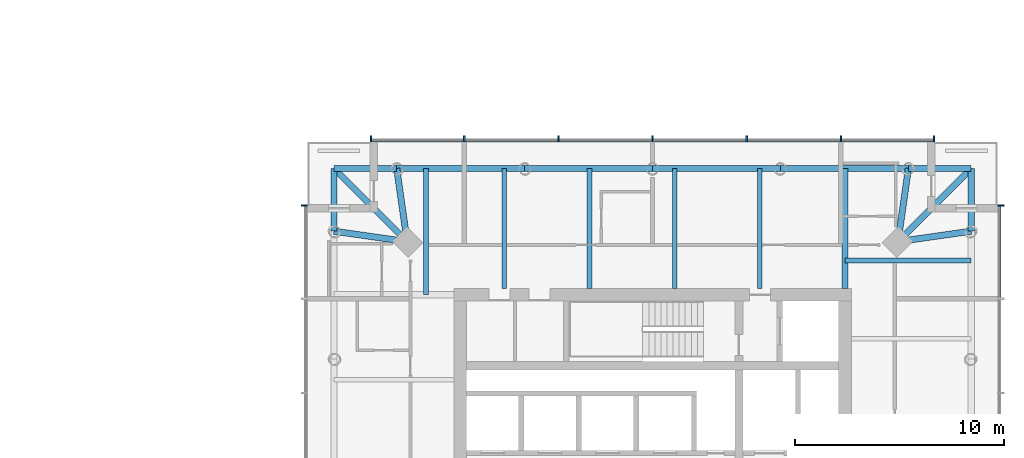
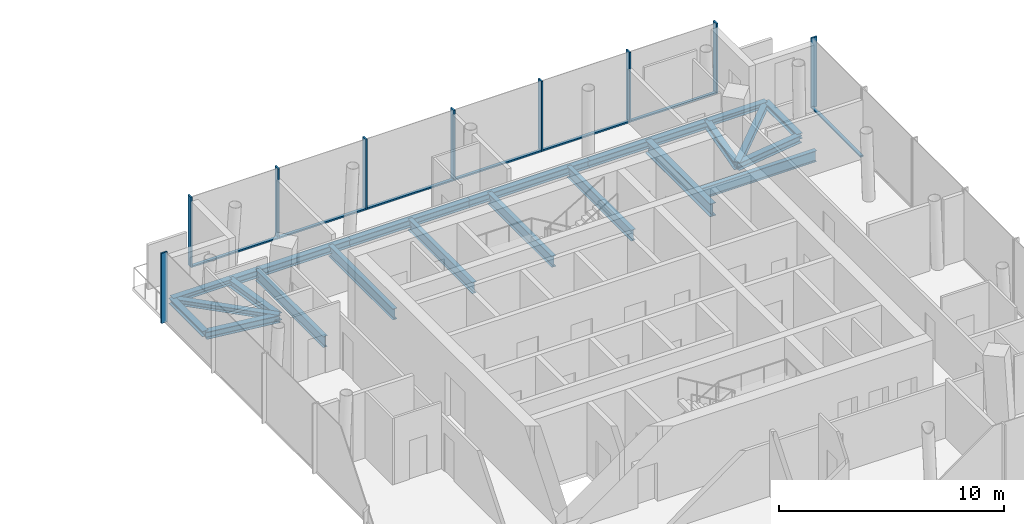
# One storey, part 6 of 20: 21 beams, 16 members, 3 elements without a shape of their own.
"""IFC4 building model written with IfcOpenShell, lengths in metres."""

import ifcopenshell
import ifcopenshell.guid

model = None  # the IFC model being written
_history = None  # IfcOwnerHistory: only IFC2X3 demands one
_inside = {}  # id of a spatial element -> (the spatial element, [elements in it])
_under = {}  # id of a project, library or spatial element -> (it, [spatial elements below it])
_declared = {}  # id of a project -> (the project, [libraries it declares])
_typed = {}  # id of a type object -> (the type object, [elements of that type])
_made_of = {}  # id of a material, layer set ... -> (it, [elements and type objects made of it])


def new_model(schema):
    """Start an empty IFC model of exactly this schema.

    Asked for "IFC4X3", IfcOpenShell would pick the latest addendum, in which some entities
    have other attributes; the version numbers below select the first issue.
    IFC2X3 requires an IfcOwnerHistory on every rooted entity: one is made here for all.
    """
    global model, _history
    if schema == "IFC4X3":
        model = ifcopenshell.file(schema_version=(4, 3, 0, 0))
    else:
        model = ifcopenshell.file(schema=schema)
    _inside.clear()
    _under.clear()
    _declared.clear()
    _typed.clear()
    _made_of.clear()
    _history = None
    if model.schema == "IFC2X3":
        org = make("IfcOrganization", Name="unknown")
        user = make(
            "IfcPersonAndOrganization",
            ThePerson=make("IfcPerson", FamilyName="unknown"),
            TheOrganization=org,
        )
        app = make(
            "IfcApplication",
            ApplicationDeveloper=org,
            Version="unknown",
            ApplicationFullName="unknown",
            ApplicationIdentifier="unknown",
        )
        _history = make(
            "IfcOwnerHistory",
            OwningUser=user,
            OwningApplication=app,
            ChangeAction="ADDED",
            CreationDate=0,
        )
    return model


def make(cls, **values):
    """One entity of the class cls with the attributes given. An attribute that is None is left unset."""
    return model.create_entity(
        cls, **{name: value for name, value in values.items() if value is not None}
    )


def rooted(cls, **values):
    """An entity with a GlobalId (a new one), such as an element, a storey or a relation."""
    return make(cls, GlobalId=ifcopenshell.guid.new(), OwnerHistory=_history, **values)


def si_unit(unit_type, name, prefix=None):
    """IfcSIUnit, for example si_unit("LENGTHUNIT", "METRE", prefix="MILLI")."""
    return make("IfcSIUnit", UnitType=unit_type, Prefix=prefix, Name=name)


def assignment(units):
    """IfcUnitAssignment: the units of a project."""
    return None if units is None else make("IfcUnitAssignment", Units=units)


def point(xyz):
    """IfcCartesianPoint."""
    return None if xyz is None else make("IfcCartesianPoint", Coordinates=xyz)


def direction(xyz):
    """IfcDirection."""
    return None if xyz is None else make("IfcDirection", DirectionRatios=xyz)


def frame(location, z_axis=None, x_axis=None):
    """IfcAxis2Placement3D, a coordinate frame: its origin and axes. An axis left out is left unset."""
    return make(
        "IfcAxis2Placement3D",
        Location=point(location),
        Axis=direction(z_axis),
        RefDirection=direction(x_axis),
    )


def frame_2d(location, x_axis=None):
    """IfcAxis2Placement2D, a coordinate frame in the plane: its origin and x axis."""
    return make(
        "IfcAxis2Placement2D", Location=point(location), RefDirection=direction(x_axis)
    )


def origin():
    """The frame at (0, 0, 0) with its axes left unset."""
    return frame((0.0, 0.0, 0.0))


def origin_2d():
    """The frame at (0, 0) in the plane with its x axis left unset."""
    return frame_2d((0.0, 0.0))


def place(relative_to, where):
    """IfcLocalPlacement: puts the frame where relative to a parent placement (None: the world)."""
    return make(
        "IfcLocalPlacement", PlacementRelTo=relative_to, RelativePlacement=where
    )


def context(
    kind, dimensions, precision=None, world=None, true_north=None, identifier=None
):
    """IfcGeometricRepresentationContext, for example the 3D "Model" context."""
    return make(
        "IfcGeometricRepresentationContext",
        ContextIdentifier=identifier,
        ContextType=kind,
        CoordinateSpaceDimension=dimensions,
        Precision=precision,
        WorldCoordinateSystem=world,
        TrueNorth=true_north,
    )


def subcontext(parent, identifier, kind, view, scale=None):
    """IfcGeometricRepresentationSubContext, for example "Body" below "Model"."""
    return make(
        "IfcGeometricRepresentationSubContext",
        ContextIdentifier=identifier,
        ContextType=kind,
        ParentContext=parent,
        TargetScale=scale,
        TargetView=view,
    )


def project(units=None, contexts=None):
    """IfcProject with its units and contexts."""
    return rooted(
        "IfcProject",
        Name="project",
        RepresentationContexts=contexts,
        UnitsInContext=assignment(units),
    )


def spatial(cls, under=None, at=None, **own):
    """A site, building, storey or space (cls), placed at a placement, below another one or the project."""
    s = rooted(cls, ObjectPlacement=at, **own)
    if under is not None:
        _under.setdefault(under.id(), (under, []))[1].append(s)
    return s


def profile(cls, at=None, kind="AREA", **sizes):
    """A parametric profile (cls). Its sizes go by their IFC names, for example OverallWidth=200.0."""
    return make(cls, ProfileType=kind, Position=at, **sizes)


def rectangle(**sizes):
    """IfcRectangleProfileDef."""
    return profile("IfcRectangleProfileDef", **sizes)


def i_section(**sizes):
    """IfcIShapeProfileDef."""
    return profile("IfcIShapeProfileDef", **sizes)


def extrude(swept, where, along, depth):
    """IfcExtrudedAreaSolid: the profile swept, set in the frame where, extruded along a direction by depth."""
    return make(
        "IfcExtrudedAreaSolid",
        SweptArea=swept,
        Position=where,
        ExtrudedDirection=direction(along),
        Depth=depth,
    )


def shape(context_of_items, identifier, shape_type, items):
    """IfcShapeRepresentation: the items that make up one representation, for example the "Body"."""
    return make(
        "IfcShapeRepresentation",
        ContextOfItems=context_of_items,
        RepresentationIdentifier=identifier,
        RepresentationType=shape_type,
        Items=items,
    )


def material(Name=None, Category=None):
    """IfcMaterial."""
    return make("IfcMaterial", Name=Name, Category=Category)


def material_profile(
    of_material, cross_section, Name=None, Category=None, Priority=None
):
    """IfcMaterialProfile: a cross section and its material."""
    return make(
        "IfcMaterialProfile",
        Name=Name,
        Material=of_material,
        Profile=cross_section,
        Priority=Priority,
        Category=Category,
    )


def profile_set(profiles, Name=None, composite=None):
    """IfcMaterialProfileSet."""
    return make(
        "IfcMaterialProfileSet",
        Name=Name,
        MaterialProfiles=profiles,
        CompositeProfile=composite,
    )


def made_of(thing, what):
    """Note that an element or type object is made of a material, layer set ...; save() writes the relation."""
    if what is not None:
        _made_of.setdefault(what.id(), (what, []))[1].append(thing)
    return thing


def type_object(cls, material=None, **own):
    """A type object (cls), such as IfcWallType, which elements share."""
    return made_of(rooted(cls, **own), material)


def element(
    cls,
    number,
    at=None,
    inside=None,
    cuts=None,
    type_object=None,
    material=None,
    context=None,
    identifier="Body",
    shape_type=None,
    held_by="IfcProductDefinitionShape",
    body=None,
    shapes=None,
    **own,
):
    """One element of the class cls, such as IfcWall. Its Tag is "e" and its number.

    at: its placement. inside: the storey or other place that contains it. cuts: it is an
    opening in that element (IfcRelVoidsElement). A single representation is given by context,
    identifier, shape_type and body (its items); several are given by shapes. held_by: the class
    of the entity that holds the representations. save() writes the other relations.
    """
    e = rooted(cls, Tag="e%d" % number, ObjectPlacement=at, **own)
    if body is not None:
        shapes = [shape(context, identifier, shape_type, body)]
    if shapes is not None:
        e.Representation = make(held_by, Representations=shapes)
    if inside is not None:
        _inside.setdefault(inside.id(), (inside, []))[1].append(e)
    if cuts is not None:
        rooted(
            "IfcRelVoidsElement", RelatingBuildingElement=cuts, RelatedOpeningElement=e
        )
    if type_object is not None:
        _typed.setdefault(type_object.id(), (type_object, []))[1].append(e)
    return made_of(e, material)


def aggregate(whole, parts):
    """IfcRelAggregates: a whole, such as a stair, and the parts it consists of."""
    return rooted("IfcRelAggregates", RelatingObject=whole, RelatedObjects=parts)


def save(model, path):
    """Write the relations noted so far, then the file.

    IfcRelAggregates (storeys below a building ...), IfcRelContainedInSpatialStructure (elements
    in a storey), IfcRelDefinesByType, IfcRelAssociatesMaterial and IfcRelDeclares: one each for
    every whole, place, type object, material and project.
    """
    for whole, parts in _under.values():
        aggregate(whole, parts)
    for where, things in _inside.values():
        rooted(
            "IfcRelContainedInSpatialStructure",
            RelatedElements=things,
            RelatingStructure=where,
        )
    for kind, things in _typed.values():
        rooted("IfcRelDefinesByType", RelatedObjects=things, RelatingType=kind)
    for what, things in _made_of.values():
        rooted("IfcRelAssociatesMaterial", RelatedObjects=things, RelatingMaterial=what)
    for by, libraries in _declared.values():
        rooted("IfcRelDeclares", RelatingContext=by, RelatedDefinitions=libraries)
    model.write(path)


model = new_model("IFC4")

# Units and contexts
model_context = context("Model", 3, precision=1e-05, world=origin(), true_north=direction((0.0, 1.0)))
body_context = subcontext(model_context, "Body", "Model", "MODEL_VIEW")
ifc_project = project(units=[si_unit("LENGTHUNIT", "METRE"), si_unit("AREAUNIT", "SQUARE_METRE"), si_unit("VOLUMEUNIT", "CUBIC_METRE"), si_unit("PLANEANGLEUNIT", "RADIAN"), si_unit("MASSUNIT", "GRAM", prefix="KILO")], contexts=[model_context])

# Site, building, storey
site_placement = place(None, origin())
site = spatial("IfcSite", under=ifc_project, at=site_placement, CompositionType="ELEMENT")
building_placement = place(site_placement, origin())
building = spatial("IfcBuilding", under=site, at=building_placement, Name="Ostroluk Exchange", CompositionType="ELEMENT")
storey_placement = place(building_placement, frame((0.0, 0.0, 108.39990234375)))
storey = spatial("IfcBuildingStorey", under=building, at=storey_placement, Name="L27", CompositionType="ELEMENT", Elevation=108.39990234375)

# Beams
ifc_material_1 = material(Name="Steel S355", Category="steel")
ifc_material_profile_1 = material_profile(ifc_material_1, i_section(OverallWidth=0.300048828125, OverallDepth=0.300048828125, WebThickness=0.010986328125, FlangeThickness=0.01904296875, FilletRadius=0.027099609375, at=origin_2d()), Name="HEB 300")
ifc_profile_set_1 = profile_set([ifc_material_profile_1], Name="Steel S355")
beam_type_1 = type_object("IfcBeamType", Name="Balcony beam HEB 300", PredefinedType="BEAM", material=ifc_profile_set_1)
for number, where, z_axis, x_axis, name in (
    (1, (132.232666015625, 58.232666015625, -0.349853515625), (0.0, 1.0, 0.0), (-1.0, 0.0, 0.0), "T2 east balcony beam a"),
    (2, (129.232666015625, 61.232666015625, -0.349853515625), (1.0, 0.0, 0.0), (0.0, 1.0, 0.0), "T2 east balcony beam b"),
):
    element("IfcBeam", number, at=place(storey_placement, frame(where, z_axis=z_axis, x_axis=x_axis)), inside=storey, type_object=beam_type_1, Name=name, PredefinedType="BEAM", context=body_context, shape_type="SweptSolid", body=[
        extrude(i_section(OverallWidth=0.300048828125, OverallDepth=0.300048828125, WebThickness=0.010986328125, FlangeThickness=0.01904296875, FilletRadius=0.027099609375, at=origin_2d()), origin(), (0.0, 0.0, 1.0), 3.0),
    ])
beam_1_placement = place(storey_placement, frame((128.732666015625, 57.732666015625, -0.349853515625), z_axis=(0.707106781187, 0.707106781187, 0.0), x_axis=(-0.707106781187, 0.707106781187, 0.0)))
element("IfcBeam", 3, at=beam_1_placement, inside=storey, type_object=beam_type_1, Name="T2 east balcony beam c", PredefinedType="BEAM", context=body_context, shape_type="SweptSolid", body=[
    extrude(i_section(OverallWidth=0.300048828125, OverallDepth=0.300048828125, WebThickness=0.010986328125, FlangeThickness=0.01904296875, FilletRadius=0.027099609375, at=origin_2d()), origin(), (0.0, 0.0, 1.0), 4.94970703125),
])
for number, where, z_axis, x_axis, name in (
    (4, (104.767333984375, 61.232666015625, -0.349853515625), (-1.0, 0.0, 0.0), (0.0, -1.0, 0.0), "T2 north balcony beam a"),
    (5, (101.767333984375, 58.232666015625, -0.349853515625), (0.0, 1.0, 0.0), (-1.0, 0.0, 0.0), "T2 north balcony beam b"),
):
    element("IfcBeam", number, at=place(storey_placement, frame(where, z_axis=z_axis, x_axis=x_axis)), inside=storey, type_object=beam_type_1, Name=name, PredefinedType="BEAM", context=body_context, shape_type="SweptSolid", body=[
        extrude(i_section(OverallWidth=0.300048828125, OverallDepth=0.300048828125, WebThickness=0.010986328125, FlangeThickness=0.01904296875, FilletRadius=0.027099609375, at=origin_2d()), origin(), (0.0, 0.0, 1.0), 3.0),
    ])
beam_2_placement = place(storey_placement, frame((105.267333984375, 57.732666015625, -0.349853515625), z_axis=(-0.707106781187, 0.707106781187, 0.0), x_axis=(-0.707106781187, -0.707106781187, 0.0)))
element("IfcBeam", 6, at=beam_2_placement, inside=storey, type_object=beam_type_1, Name="T2 north balcony beam c", PredefinedType="BEAM", context=body_context, shape_type="SweptSolid", body=[
    extrude(i_section(OverallWidth=0.300048828125, OverallDepth=0.300048828125, WebThickness=0.010986328125, FlangeThickness=0.01904296875, FilletRadius=0.027099609375, at=origin_2d()), origin(), (0.0, 0.0, 1.0), 4.94970703125),
])
ifc_material_2 = material(Name="Steel S355", Category="steel")
ifc_material_profile_2 = material_profile(ifc_material_2, i_section(OverallWidth=0.300048828125, OverallDepth=0.39990234375, WebThickness=0.013427734375, FlangeThickness=0.02392578125, FilletRadius=0.027099609375, at=origin_2d()), Name="HEB 400")
ifc_profile_set_2 = profile_set([ifc_material_profile_2], Name="Steel S355")
beam_type_2 = type_object("IfcBeamType", Name="Corner edge beam HEB 400", PredefinedType="SPANDREL", material=ifc_profile_set_2)
for number, where, z_axis, x_axis, name in (
    (7, (128.732666015625, 57.732666015625, -0.39990234375), (0.989949493661, 0.141421356237, 0.0), (-0.141421356237, 0.989949493661, 0.0), "T2 east corner edge beam a"),
    (8, (128.732666015625, 57.732666015625, -0.39990234375), (0.141421356237, 0.989949493661, 0.0), (-0.989949493661, 0.141421356237, 0.0), "T2 east corner edge beam b"),
    (9, (105.267333984375, 57.732666015625, -0.39990234375), (-0.141421356237, 0.989949493661, 0.0), (-0.989949493661, -0.141421356237, 0.0), "T2 north corner edge beam a"),
    (10, (105.267333984375, 57.732666015625, -0.39990234375), (-0.989949493661, 0.141421356237, 0.0), (-0.141421356237, -0.989949493661, 0.0), "T2 north corner edge beam b"),
):
    element("IfcBeam", number, at=place(storey_placement, frame(where, z_axis=z_axis, x_axis=x_axis)), inside=storey, type_object=beam_type_2, Name=name, PredefinedType="SPANDREL", context=body_context, shape_type="SweptSolid", body=[
        extrude(i_section(OverallWidth=0.300048828125, OverallDepth=0.39990234375, WebThickness=0.013427734375, FlangeThickness=0.02392578125, FilletRadius=0.027099609375, at=origin_2d()), origin(), (0.0, 0.0, 1.0), 3.53564453125),
    ])
ifc_material_3 = material(Name="Steel S355", Category="steel")
ifc_material_profile_3 = material_profile(ifc_material_3, i_section(OverallWidth=0.219970703125, OverallDepth=0.60009765625, WebThickness=0.011962890625, FlangeThickness=0.01904296875, FilletRadius=0.02392578125, at=origin_2d()), Name="IPE 600")
ifc_profile_set_3 = profile_set([ifc_material_profile_3], Name="Steel S355")
beam_type_3 = type_object("IfcBeamType", Name="Floor beam IPE 600", PredefinedType="BEAM", material=ifc_profile_set_3)
beam_3_placement = place(storey_placement, frame((126.199951171875, 56.832763671875, -0.5), z_axis=(1.0, 0.0, 0.0), x_axis=(0.0, 1.0, 0.0)))
element("IfcBeam", 11, at=beam_3_placement, inside=storey, type_object=beam_type_3, Name="T2 east floor beam 5", PredefinedType="BEAM", context=body_context, shape_type="SweptSolid", body=[
    extrude(i_section(OverallWidth=0.219970703125, OverallDepth=0.60009765625, WebThickness=0.011962890625, FlangeThickness=0.01904296875, FilletRadius=0.02392578125, at=origin_2d()), origin(), (0.0, 0.0, 1.0), 6.03271484375),
])
for number, where, z_axis, x_axis, name in (
    (12, (122.1279296875, 55.5, -0.5), (0.0, 1.0, 0.0), (-1.0, 0.0, 0.0), "T2 north floor beam 1"),
    (13, (118.0556640625, 55.5, -0.5), (0.0, 1.0, 0.0), (-1.0, 0.0, 0.0), "T2 north floor beam 2"),
    (14, (113.983642578125, 55.5, -0.5), (0.0, 1.0, 0.0), (-1.0, 0.0, 0.0), "T2 north floor beam 3"),
    (15, (109.911376953125, 55.5, -0.5), (0.0, 1.0, 0.0), (-1.0, 0.0, 0.0), "T2 north floor beam 4"),
):
    element("IfcBeam", number, at=place(storey_placement, frame(where, z_axis=z_axis, x_axis=x_axis)), inside=storey, type_object=beam_type_3, Name=name, PredefinedType="BEAM", context=body_context, shape_type="SweptSolid", body=[
        extrude(i_section(OverallWidth=0.219970703125, OverallDepth=0.60009765625, WebThickness=0.011962890625, FlangeThickness=0.01904296875, FilletRadius=0.02392578125, at=origin_2d()), origin(), (0.0, 0.0, 1.0), 5.732666015625),
    ])
beam_4_placement = place(storey_placement, frame((106.167236328125, 55.199951171875, -0.5), z_axis=(0.0, 1.0, 0.0), x_axis=(-1.0, 0.0, 0.0)))
element("IfcBeam", 16, at=beam_4_placement, inside=storey, type_object=beam_type_3, Name="T2 north floor beam 5", PredefinedType="BEAM", context=body_context, shape_type="SweptSolid", body=[
    extrude(i_section(OverallWidth=0.219970703125, OverallDepth=0.60009765625, WebThickness=0.011962890625, FlangeThickness=0.01904296875, FilletRadius=0.02392578125, at=origin_2d()), origin(), (0.0, 0.0, 1.0), 6.03271484375),
])
ifc_material_4 = material(Name="Steel S355", Category="steel")
ifc_material_profile_4 = material_profile(ifc_material_4, i_section(OverallWidth=0.300048828125, OverallDepth=0.699951171875, WebThickness=0.01708984375, FlangeThickness=0.031982421875, FilletRadius=0.027099609375, at=origin_2d()), Name="HEB 700")
ifc_profile_set_4 = profile_set([ifc_material_profile_4], Name="Steel S355")
beam_type_4 = type_object("IfcBeamType", Name="Girder HEB 700", PredefinedType="BEAM", material=ifc_profile_set_4)
beam_5_placement = place(storey_placement, frame((126.199951171875, 55.5, -0.5498046875), z_axis=(0.0, 1.0, 0.0), x_axis=(-1.0, 0.0, 0.0)))
element("IfcBeam", 17, at=beam_5_placement, inside=storey, type_object=beam_type_4, Name="T2 east girder", PredefinedType="BEAM", context=body_context, shape_type="SweptSolid", body=[
    extrude(i_section(OverallWidth=0.300048828125, OverallDepth=0.699951171875, WebThickness=0.01708984375, FlangeThickness=0.031982421875, FilletRadius=0.027099609375, at=origin_2d()), origin(), (0.0, 0.0, 1.0), 5.732666015625),
])
ifc_material_5 = material(Name="Steel S355", Category="steel")
ifc_material_profile_5 = material_profile(ifc_material_5, i_section(OverallWidth=0.300048828125, OverallDepth=0.39990234375, WebThickness=0.013427734375, FlangeThickness=0.02392578125, FilletRadius=0.027099609375, at=origin_2d()), Name="HEB 400")
ifc_profile_set_5 = profile_set([ifc_material_profile_5], Name="Steel S355")
beam_type_5 = type_object("IfcBeamType", Name="Moment-connected edge beam HEB 400", PredefinedType="SPANDREL", material=ifc_profile_set_5)
beam_6_placement = place(storey_placement, frame((129.232666015625, 61.232666015625, -0.39990234375), z_axis=(-1.0, 0.0, 0.0), x_axis=(0.0, -1.0, 0.0)))
element("IfcBeam", 18, at=beam_6_placement, inside=storey, type_object=beam_type_5, Name="T2 north edge beam 1", PredefinedType="SPANDREL", context=body_context, shape_type="SweptSolid", body=[
    extrude(i_section(OverallWidth=0.300048828125, OverallDepth=0.39990234375, WebThickness=0.013427734375, FlangeThickness=0.02392578125, FilletRadius=0.027099609375, at=origin_2d()), origin(), (0.0, 0.0, 1.0), 6.1162109375),
])
for number, where, z_axis, x_axis, name in (
    (19, (123.116455078125, 61.232666015625, -0.39990234375), (-1.0, 0.0, 0.0), (0.0, -1.0, 0.0), "T2 north edge beam 2"),
    (20, (117.0, 61.232666015625, -0.39990234375), (-1.0, 0.0, 0.0), (0.0, -1.0, 0.0), "T2 north edge beam 3"),
):
    element("IfcBeam", number, at=place(storey_placement, frame(where, z_axis=z_axis, x_axis=x_axis)), inside=storey, type_object=beam_type_5, Name=name, PredefinedType="SPANDREL", context=body_context, shape_type="SweptSolid", body=[
        extrude(i_section(OverallWidth=0.300048828125, OverallDepth=0.39990234375, WebThickness=0.013427734375, FlangeThickness=0.02392578125, FilletRadius=0.027099609375, at=origin_2d()), origin(), (0.0, 0.0, 1.0), 6.116455078125),
    ])
beam_7_placement = place(storey_placement, frame((110.883544921875, 61.232666015625, -0.39990234375), z_axis=(-1.0, 0.0, 0.0), x_axis=(0.0, -1.0, 0.0)))
element("IfcBeam", 21, at=beam_7_placement, inside=storey, type_object=beam_type_5, Name="T2 north edge beam 4", PredefinedType="SPANDREL", context=body_context, shape_type="SweptSolid", body=[
    extrude(i_section(OverallWidth=0.300048828125, OverallDepth=0.39990234375, WebThickness=0.013427734375, FlangeThickness=0.02392578125, FilletRadius=0.027099609375, at=origin_2d()), origin(), (0.0, 0.0, 1.0), 6.1162109375),
])

# Curtain wall, member
ifc_material_6 = material(Name="Laminated clear glass", Category="glass")
curtain_wall_type = type_object("IfcCurtainWallType", Name="Hotel guest floor facade", PredefinedType="USERDEFINED", material=ifc_material_6)
curtain_wall_1_placement = place(storey_placement, origin())
curtain_wall_1 = element("IfcCurtainWall", 22, at=curtain_wall_1_placement, inside=storey, type_object=curtain_wall_type, Name="Hotel tower east facade L27", ObjectType="UNITISED CURTAIN WALL", PredefinedType="USERDEFINED")
ifc_material_7 = material(Name="Aluminium mullion", Category="aluminium")
ifc_material_profile_6 = material_profile(ifc_material_7, rectangle(XDim=0.14990234375, YDim=0.080078125, at=origin_2d()), Name="Sill transom 80 x 150")
ifc_profile_set_6 = profile_set([ifc_material_profile_6], Name="Aluminium mullion")
member_type_1 = type_object("IfcMemberType", Name="Sill transom 80 x 150", PredefinedType="USERDEFINED", material=ifc_profile_set_6)
member_1_placement = place(storey_placement, frame((133.574951171875, 55.0400390625, 0.0400390625), z_axis=(0.0, 1.0, 0.0), x_axis=(-1.0, 0.0, 0.0)))
member_1 = element("IfcMember", 23, at=member_1_placement, type_object=member_type_1, Name="CW-H1 transom 6.1", ObjectType="TRANSOM", PredefinedType="USERDEFINED", context=body_context, shape_type="SweptSolid", body=[
    extrude(rectangle(XDim=0.14990234375, YDim=0.080078125, at=origin_2d()), origin(), (0.0, 0.0, 1.0), 4.3798828125),
])

# Curtain wall, members
curtain_wall_2_placement = place(storey_placement, origin())
curtain_wall_2 = element("IfcCurtainWall", 24, at=curtain_wall_2_placement, inside=storey, type_object=curtain_wall_type, Name="Hotel tower north facade L27", ObjectType="UNITISED CURTAIN WALL", PredefinedType="USERDEFINED")
member_2_placement = place(storey_placement, frame((130.419921875, 62.574951171875, 0.0400390625), z_axis=(-1.0, 0.0, 0.0), x_axis=(0.0, -1.0, 0.0)))
member_2 = element("IfcMember", 25, at=member_2_placement, type_object=member_type_1, Name="CW-H1 transom 1.1", ObjectType="TRANSOM", PredefinedType="USERDEFINED", context=body_context, shape_type="SweptSolid", body=[
    extrude(rectangle(XDim=0.14990234375, YDim=0.080078125, at=origin_2d()), origin(), (0.0, 0.0, 1.0), 4.3798828125),
])
member_3_placement = place(storey_placement, frame((125.9599609375, 62.574951171875, 0.0400390625), z_axis=(-1.0, 0.0, 0.0), x_axis=(0.0, -1.0, 0.0)))
member_3 = element("IfcMember", 26, at=member_3_placement, type_object=member_type_1, Name="CW-H1 transom 2.1", ObjectType="TRANSOM", PredefinedType="USERDEFINED", context=body_context, shape_type="SweptSolid", body=[
    extrude(rectangle(XDim=0.14990234375, YDim=0.080078125, at=origin_2d()), origin(), (0.0, 0.0, 1.0), 4.419921875),
])
member_4_placement = place(storey_placement, frame((121.4599609375, 62.574951171875, 0.0400390625), z_axis=(-1.0, 0.0, 0.0), x_axis=(0.0, -1.0, 0.0)))
member_4 = element("IfcMember", 27, at=member_4_placement, type_object=member_type_1, Name="CW-H1 transom 3.1", ObjectType="TRANSOM", PredefinedType="USERDEFINED", context=body_context, shape_type="SweptSolid", body=[
    extrude(rectangle(XDim=0.14990234375, YDim=0.080078125, at=origin_2d()), origin(), (0.0, 0.0, 1.0), 4.419921875),
])
member_5_placement = place(storey_placement, frame((116.9599609375, 62.574951171875, 0.0400390625), z_axis=(-1.0, 0.0, 0.0), x_axis=(0.0, -1.0, 0.0)))
member_5 = element("IfcMember", 28, at=member_5_placement, type_object=member_type_1, Name="CW-H1 transom 4.1", ObjectType="TRANSOM", PredefinedType="USERDEFINED", context=body_context, shape_type="SweptSolid", body=[
    extrude(rectangle(XDim=0.14990234375, YDim=0.080078125, at=origin_2d()), origin(), (0.0, 0.0, 1.0), 4.419921875),
])
member_6_placement = place(storey_placement, frame((112.4599609375, 62.574951171875, 0.0400390625), z_axis=(-1.0, 0.0, 0.0), x_axis=(0.0, -1.0, 0.0)))
member_6 = element("IfcMember", 29, at=member_6_placement, type_object=member_type_1, Name="CW-H1 transom 5.1", ObjectType="TRANSOM", PredefinedType="USERDEFINED", context=body_context, shape_type="SweptSolid", body=[
    extrude(rectangle(XDim=0.14990234375, YDim=0.080078125, at=origin_2d()), origin(), (0.0, 0.0, 1.0), 4.419921875),
])
member_7_placement = place(storey_placement, frame((107.9599609375, 62.574951171875, 0.0400390625), z_axis=(-1.0, 0.0, 0.0), x_axis=(0.0, -1.0, 0.0)))
member_7 = element("IfcMember", 30, at=member_7_placement, type_object=member_type_1, Name="CW-H1 transom 6.1", ObjectType="TRANSOM", PredefinedType="USERDEFINED", context=body_context, shape_type="SweptSolid", body=[
    extrude(rectangle(XDim=0.14990234375, YDim=0.080078125, at=origin_2d()), origin(), (0.0, 0.0, 1.0), 4.3798828125),
])

# Member
ifc_material_8 = material(Name="Aluminium mullion with limestone facing", Category="masonry")
ifc_material_profile_7 = material_profile(ifc_material_8, rectangle(XDim=0.300048828125, YDim=0.080078125, at=origin_2d()), Name="Tracery mullion 80 x 300")
ifc_profile_set_7 = profile_set([ifc_material_profile_7], Name="Aluminium mullion with limestone facing")
member_type_2 = type_object("IfcMemberType", Name="Tracery mullion 80 x 300", PredefinedType="MULLION", material=ifc_profile_set_7)
member_8_placement = place(storey_placement, frame((133.64990234375, 59.4599609375, 0.0), z_axis=(0.0, 0.0, 1.0), x_axis=(-1.0, 0.0, 0.0)))
member_8 = element("IfcMember", 31, at=member_8_placement, type_object=member_type_2, Name="CW-H1 mullion 7", PredefinedType="MULLION", context=body_context, shape_type="SweptSolid", body=[
    extrude(rectangle(XDim=0.300048828125, YDim=0.080078125, at=origin_2d()), origin(), (0.0, 0.0, 1.0), 3.800048828125),
])

aggregate(curtain_wall_1, [member_8, member_1])

member_9_placement = place(storey_placement, frame((130.4599609375, 62.64990234375, 0.0), z_axis=(0.0, 0.0, 1.0), x_axis=(0.0, -1.0, 0.0)))
member_9 = element("IfcMember", 32, at=member_9_placement, type_object=member_type_2, Name="CW-H1 mullion 1", PredefinedType="MULLION", context=body_context, shape_type="SweptSolid", body=[
    extrude(rectangle(XDim=0.300048828125, YDim=0.080078125, at=origin_2d()), origin(), (0.0, 0.0, 1.0), 3.800048828125),
])

member_10_placement = place(storey_placement, frame((126.0, 62.64990234375, 0.0), z_axis=(0.0, 0.0, 1.0), x_axis=(0.0, -1.0, 0.0)))
member_10 = element("IfcMember", 33, at=member_10_placement, type_object=member_type_2, Name="CW-H1 mullion 2", PredefinedType="MULLION", context=body_context, shape_type="SweptSolid", body=[
    extrude(rectangle(XDim=0.300048828125, YDim=0.080078125, at=origin_2d()), origin(), (0.0, 0.0, 1.0), 3.800048828125),
])

member_11_placement = place(storey_placement, frame((121.5, 62.64990234375, 0.0), z_axis=(0.0, 0.0, 1.0), x_axis=(0.0, -1.0, 0.0)))
member_11 = element("IfcMember", 34, at=member_11_placement, type_object=member_type_2, Name="CW-H1 mullion 3", PredefinedType="MULLION", context=body_context, shape_type="SweptSolid", body=[
    extrude(rectangle(XDim=0.300048828125, YDim=0.080078125, at=origin_2d()), origin(), (0.0, 0.0, 1.0), 3.800048828125),
])

member_12_placement = place(storey_placement, frame((117.0, 62.64990234375, 0.0), z_axis=(0.0, 0.0, 1.0), x_axis=(0.0, -1.0, 0.0)))
member_12 = element("IfcMember", 35, at=member_12_placement, type_object=member_type_2, Name="CW-H1 mullion 4", PredefinedType="MULLION", context=body_context, shape_type="SweptSolid", body=[
    extrude(rectangle(XDim=0.300048828125, YDim=0.080078125, at=origin_2d()), origin(), (0.0, 0.0, 1.0), 3.800048828125),
])

member_13_placement = place(storey_placement, frame((112.5, 62.64990234375, 0.0), z_axis=(0.0, 0.0, 1.0), x_axis=(0.0, -1.0, 0.0)))
member_13 = element("IfcMember", 36, at=member_13_placement, type_object=member_type_2, Name="CW-H1 mullion 5", PredefinedType="MULLION", context=body_context, shape_type="SweptSolid", body=[
    extrude(rectangle(XDim=0.300048828125, YDim=0.080078125, at=origin_2d()), origin(), (0.0, 0.0, 1.0), 3.800048828125),
])

member_14_placement = place(storey_placement, frame((108.0, 62.64990234375, 0.0), z_axis=(0.0, 0.0, 1.0), x_axis=(0.0, -1.0, 0.0)))
member_14 = element("IfcMember", 37, at=member_14_placement, type_object=member_type_2, Name="CW-H1 mullion 6", PredefinedType="MULLION", context=body_context, shape_type="SweptSolid", body=[
    extrude(rectangle(XDim=0.300048828125, YDim=0.080078125, at=origin_2d()), origin(), (0.0, 0.0, 1.0), 3.800048828125),
])

member_15_placement = place(storey_placement, frame((103.5400390625, 62.64990234375, 0.0), z_axis=(0.0, 0.0, 1.0), x_axis=(0.0, -1.0, 0.0)))
member_15 = element("IfcMember", 38, at=member_15_placement, type_object=member_type_2, Name="CW-H1 mullion 7", PredefinedType="MULLION", context=body_context, shape_type="SweptSolid", body=[
    extrude(rectangle(XDim=0.300048828125, YDim=0.080078125, at=origin_2d()), origin(), (0.0, 0.0, 1.0), 3.800048828125),
])

aggregate(curtain_wall_2, [member_9, member_10, member_11, member_12, member_13, member_14, member_15, member_2, member_3, member_4, member_5, member_6, member_7])

# Curtain wall, member
curtain_wall_3_placement = place(storey_placement, origin())
curtain_wall_3 = element("IfcCurtainWall", 39, at=curtain_wall_3_placement, inside=storey, type_object=curtain_wall_type, Name="Hotel tower west facade L27", ObjectType="UNITISED CURTAIN WALL", PredefinedType="USERDEFINED")
member_16_placement = place(storey_placement, frame((100.35009765625, 59.4599609375, 0.0), z_axis=(0.0, 0.0, 1.0), x_axis=(1.0, 0.0, 0.0)))
member_16 = element("IfcMember", 40, at=member_16_placement, type_object=member_type_2, Name="CW-H1 mullion 1", PredefinedType="MULLION", context=body_context, shape_type="SweptSolid", body=[
    extrude(rectangle(XDim=0.300048828125, YDim=0.080078125, at=origin_2d()), origin(), (0.0, 0.0, 1.0), 3.800048828125),
])
aggregate(curtain_wall_3, [member_16])

save(model, "model.ifc")
